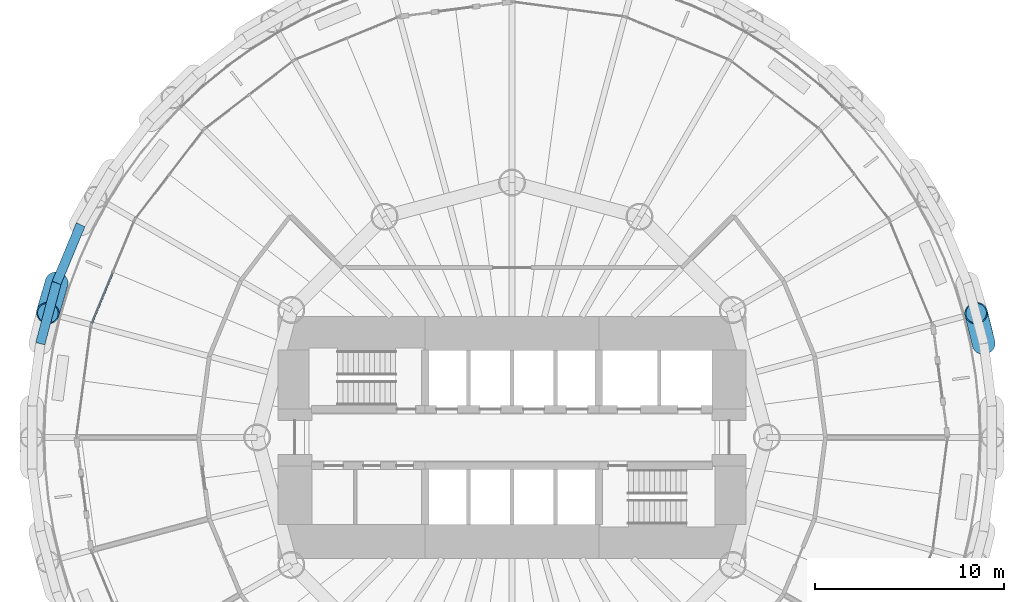
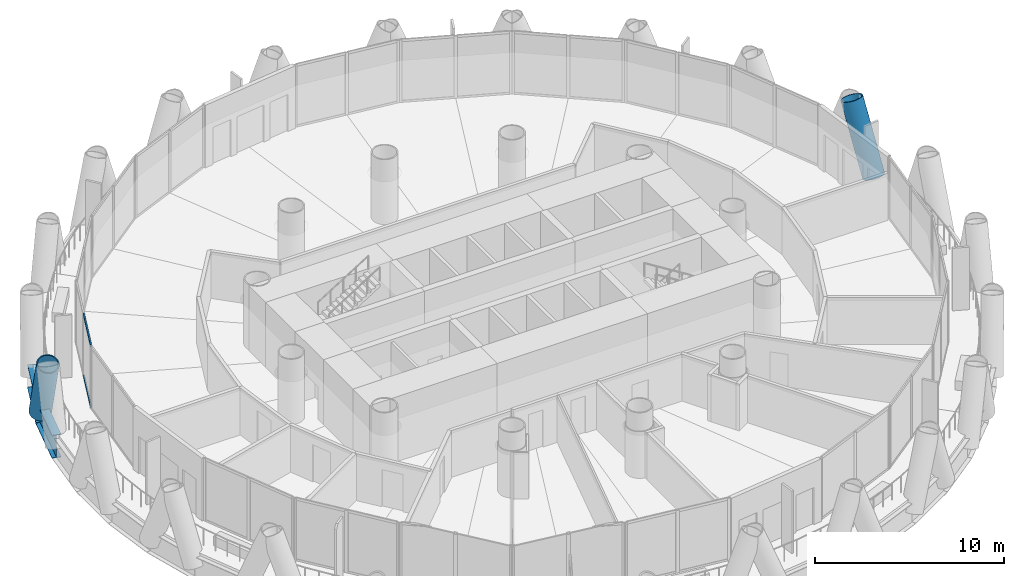
# One storey, part 5 of 16: 4 members, 2 beams, 1 element without a shape of its own.
"""IFC4 building model written with IfcOpenShell, lengths in metres."""

from ifc_helpers import new_model, si_unit, direction, frame, origin, origin_2d, place, context, subcontext, project, spatial, rectangle, hollow_circle, i_section, extrude, material, material_profile, profile_set, type_object, element, aggregate, save


model = new_model("IFC4")

# Units and contexts
model_context = context("Model", 3, precision=1e-05, world=origin(), true_north=direction((0.0, 1.0)))
body_context = subcontext(model_context, "Body", "Model", "MODEL_VIEW")
ifc_project = project(units=[si_unit("LENGTHUNIT", "METRE"), si_unit("AREAUNIT", "SQUARE_METRE"), si_unit("VOLUMEUNIT", "CUBIC_METRE"), si_unit("PLANEANGLEUNIT", "RADIAN"), si_unit("MASSUNIT", "GRAM", prefix="KILO")], contexts=[model_context])

# Site, building, storey
site_placement = place(None, origin())
site = spatial("IfcSite", under=ifc_project, at=site_placement, CompositionType="ELEMENT")
building_placement = place(site_placement, origin())
building = spatial("IfcBuilding", under=site, at=building_placement, Name="Qaws Media Tower", CompositionType="ELEMENT")
storey_placement = place(building_placement, frame((0.0, 0.0, 89.0)))
storey = spatial("IfcBuildingStorey", under=building, at=storey_placement, Name="L19", CompositionType="ELEMENT", Elevation=89.0)

# Curtain wall, members
ifc_material_1 = material(Name="Aluminium and clear glass", Category="aluminium")
curtain_wall_type = type_object("IfcCurtainWallType", Name="Unitised curtain wall CW-A", PredefinedType="NOTDEFINED", material=ifc_material_1)
curtain_wall_placement = place(storey_placement, origin())
curtain_wall = element("IfcCurtainWall", 1, at=curtain_wall_placement, inside=storey, type_object=curtain_wall_type, Name="CWA curtain wall L19-11", PredefinedType="NOTDEFINED")
ifc_material_2 = material(Name="Aluminium transom", Category="aluminium")
ifc_material_profile_1 = material_profile(ifc_material_2, rectangle(XDim=0.080078125, YDim=0.159912109375, at=origin_2d()), Name="80x160")
ifc_profile_set_1 = profile_set([ifc_material_profile_1], Name="Aluminium transom")
member_type_1 = type_object("IfcMemberType", Name="Curtain wall transom 80x160", PredefinedType="USERDEFINED", material=ifc_profile_set_1)
member_1_placement = place(storey_placement, frame((38.8486328125, 58.718017578125, 0.0400390625), z_axis=(-0.382672391391, -0.923884105755, 0.0), x_axis=(0.923884105755, -0.382672391391, 0.0)))
member_1 = element("IfcMember", 2, at=member_1_placement, type_object=member_type_1, Name="CWA transom 2.1", ObjectType="TRANSOM", PredefinedType="USERDEFINED", context=body_context, shape_type="SweptSolid", body=[
    extrude(rectangle(XDim=0.080078125, YDim=0.159912109375, at=origin_2d()), origin(), (0.0, 0.0, 1.0), 2.89208984375),
])
member_2_placement = place(storey_placement, frame((38.8486328125, 58.718017578125, 4.0), z_axis=(-0.382672391391, -0.923884105755, 0.0), x_axis=(0.923884105755, -0.382672391391, 0.0)))
member_2 = element("IfcMember", 3, at=member_2_placement, type_object=member_type_1, Name="CWA transom 2.2", ObjectType="TRANSOM", PredefinedType="USERDEFINED", context=body_context, shape_type="SweptSolid", body=[
    extrude(rectangle(XDim=0.080078125, YDim=0.159912109375, at=origin_2d()), origin(), (0.0, 0.0, 1.0), 2.89208984375),
])
aggregate(curtain_wall, [member_1, member_2])

# Members
ifc_material_3 = material(Name="Steel S460", Category="steel")
ifc_material_profile_2 = material_profile(ifc_material_3, hollow_circle(Radius=0.609619140625, WallThickness=0.06005859375, at=origin_2d()), Name="CHS 1219x60")
ifc_profile_set_2 = profile_set([ifc_material_profile_2], Name="Steel S460")
member_type_2 = type_object("IfcMemberType", Name="Diagrid member CHS 1219x60", PredefinedType="USERDEFINED", material=ifc_profile_set_2)
for number, where, z_axis, x_axis, name in (
    (4, (84.985595703125, 54.969970703125, -0.909912109375), (-0.089152749117, 0.357853731759, 0.929511965491), (-0.970340396506, -0.241742662575, 0.0), "DG1 diagrid L19 A01"),
    (5, (35.876953125, 58.188720703125, -0.909912109375), (-0.101741339373, -0.354500758165, 0.929504121736), (0.961197096525, -0.275862541191, 0.0), "DG1 diagrid L19 A11"),
):
    element("IfcMember", number, at=place(storey_placement, frame(where, z_axis=z_axis, x_axis=x_axis)), inside=storey, type_object=member_type_2, Name=name, ObjectType="DIAGRID", PredefinedType="USERDEFINED", context=body_context, shape_type="SweptSolid", body=[
        extrude(hollow_circle(Radius=0.609619140625, WallThickness=0.06005859375, at=origin_2d()), origin(), (0.0, 0.0, 1.0), 4.5185546875),
    ])

# Beams
ifc_material_4 = material(Name="Steel S460", Category="steel")
ifc_material_profile_3 = material_profile(ifc_material_4, i_section(OverallWidth=0.5, OverallDepth=1.5, WebThickness=0.02001953125, FlangeThickness=0.0400390625, at=origin_2d()), Name="PG 1500x500")
ifc_profile_set_3 = profile_set([ifc_material_profile_3], Name="Steel S460")
beam_type = type_object("IfcBeamType", Name="Edge ring beam PG 1500x500", PredefinedType="BEAM", material=ifc_profile_set_3)
for number, where, z_axis, x_axis, name in (
    (6, (37.152099609375, 61.267333984375, -0.909912109375), (-0.38266885996, -0.923885568465, 0.0), (0.923885568465, -0.38266885996, 0.0), "RB4 edge ring beam L19-21"),
    (7, (35.876953125, 58.188720703125, -0.909912109375), (-0.258843506265, -0.965919271608, 0.0), (0.965919271608, -0.258843506265, 0.0), "RB4 edge ring beam L19-22"),
):
    element("IfcBeam", number, at=place(storey_placement, frame(where, z_axis=z_axis, x_axis=x_axis)), inside=storey, type_object=beam_type, Name=name, PredefinedType="BEAM", context=body_context, shape_type="SweptSolid", body=[
        extrude(i_section(OverallWidth=0.5, OverallDepth=1.5, WebThickness=0.02001953125, FlangeThickness=0.0400390625, at=origin_2d()), origin(), (0.0, 0.0, 1.0), 3.332275390625),
    ])

save(model, "model.ifc")
